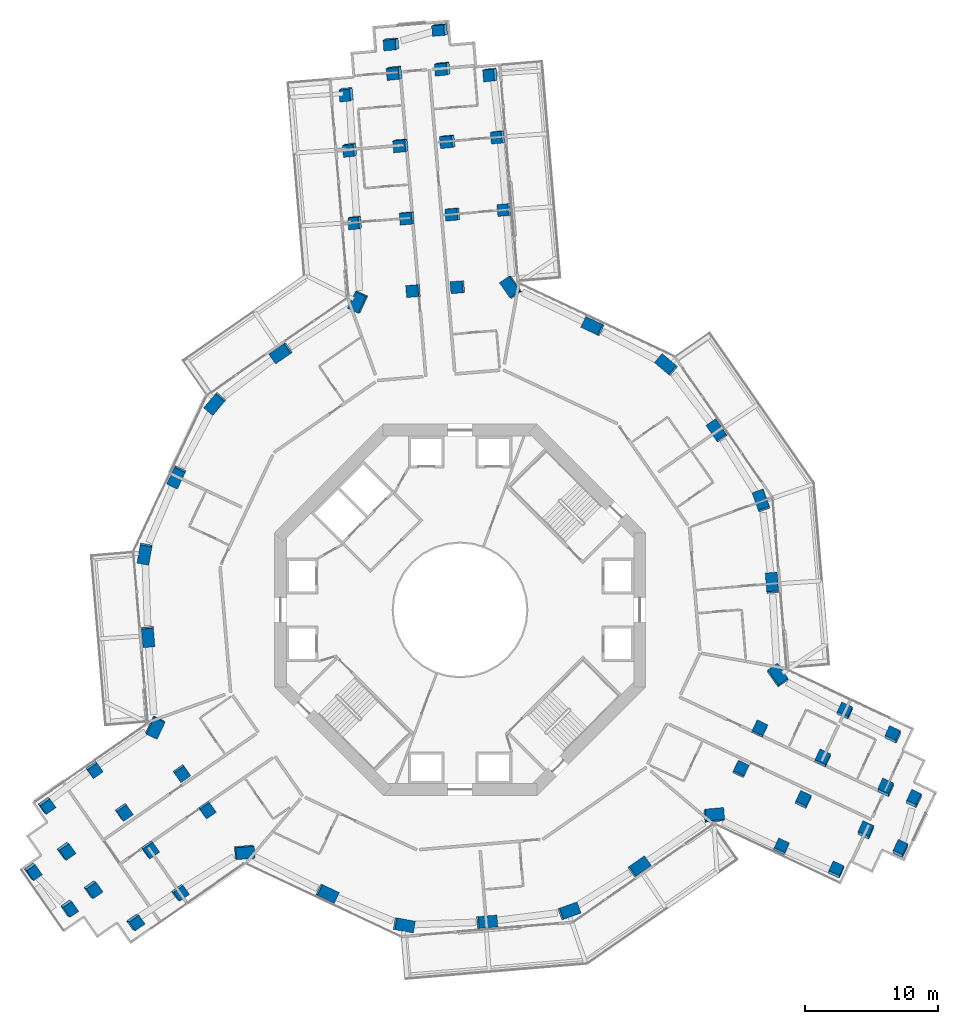
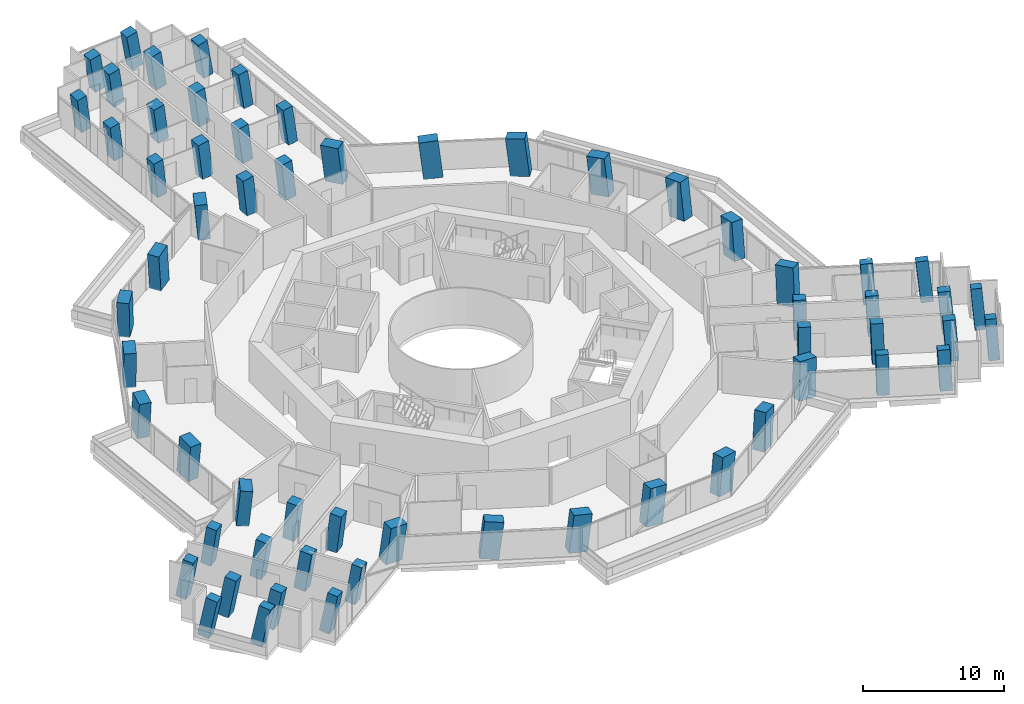
# One storey, part 1 of 26: 61 columns.
"""IFC4 building model written with IfcOpenShell, lengths in metres."""

from ifc_helpers import new_model, si_unit, direction, frame, origin, origin_2d, place, context, subcontext, project, spatial, rectangle, extrude, material, material_profile, profile_set, type_object, element, save


model = new_model("IFC4")

# Units and contexts
model_context = context("Model", 3, precision=1e-05, world=origin(), true_north=direction((0.0, 1.0)))
body_context = subcontext(model_context, "Body", "Model", "MODEL_VIEW")
ifc_project = project(units=[si_unit("LENGTHUNIT", "METRE"), si_unit("AREAUNIT", "SQUARE_METRE"), si_unit("VOLUMEUNIT", "CUBIC_METRE"), si_unit("PLANEANGLEUNIT", "RADIAN"), si_unit("MASSUNIT", "GRAM", prefix="KILO")], contexts=[model_context])

# Site, building, storey
site_placement = place(None, origin())
site = spatial("IfcSite", under=ifc_project, at=site_placement, CompositionType="ELEMENT")
building_placement = place(site_placement, origin())
building = spatial("IfcBuilding", under=site, at=building_placement, Name="Verdalira Terraces Hotel", CompositionType="ELEMENT")
storey_placement = place(building_placement, frame((0.0, 0.0, 53.0)))
storey = spatial("IfcBuildingStorey", under=building, at=storey_placement, Name="L11", CompositionType="ELEMENT", Elevation=53.0)

# Columns
ifc_material_1 = material(Name="Concrete C80", Category="concrete")
ifc_material_profile_1 = material_profile(ifc_material_1, rectangle(XDim=1.399902, YDim=0.899902, at=origin_2d()), Name="RC 1400X900")
ifc_profile_set_1 = profile_set([ifc_material_profile_1], Name="Concrete C80")
column_type_1 = type_object("IfcColumnType", Name="Column RC 1400X900 C80", PredefinedType="COLUMN", material=ifc_profile_set_1)
column_1_placement = place(storey_placement, frame((-7.650391, 23.226318, 0.0), z_axis=(-0.110070907, -0.037323767, 0.9932227), x_axis=(0.417946894, 0.904913597, 0.080322951)))
element("IfcColumn", 1, at=column_1_placement, inside=storey, type_object=column_type_1, Name="Column C07", PredefinedType="COLUMN", context=body_context, shape_type="SweptSolid", body=[
    extrude(rectangle(XDim=1.399902, YDim=0.899902, at=origin_2d()), origin(), (0.0, 0.0, 1.0), 3.21167),
])
column_2_placement = place(storey_placement, frame((-13.473633, 19.385986, 0.0), z_axis=(-0.091640946, -0.064871143, 0.993676845), x_axis=(-0.815879269, -0.567217406, -0.112273915)))
element("IfcColumn", 2, at=column_2_placement, inside=storey, type_object=column_type_1, Name="Column C08", PredefinedType="COLUMN", context=body_context, shape_type="SweptSolid", body=[
    extrude(rectangle(XDim=1.399902, YDim=0.899902, at=origin_2d()), origin(), (0.0, 0.0, 1.0), 3.210205),
])
column_3_placement = place(storey_placement, frame((-18.446533, 15.588623, 0.0), z_axis=(-0.073442823, -0.088344265, 0.993378801), x_axis=(0.641502385, 0.758470218, 0.114880889)))
element("IfcColumn", 3, at=column_3_placement, inside=storey, type_object=column_type_1, Name="Column C09", PredefinedType="COLUMN", context=body_context, shape_type="SweptSolid", body=[
    extrude(rectangle(XDim=1.399902, YDim=0.899902, at=origin_2d()), origin(), (0.0, 0.0, 1.0), 3.211182),
])
column_4_placement = place(storey_placement, frame((-21.361572, 10.052002, 0.0), z_axis=(-0.046923296, -0.10198402, 0.993678753), x_axis=(-0.422986653, -0.899155521, -0.112257027)))
element("IfcColumn", 4, at=column_4_placement, inside=storey, type_object=column_type_1, Name="Column C10", PredefinedType="COLUMN", context=body_context, shape_type="SweptSolid", body=[
    extrude(rectangle(XDim=1.399902, YDim=0.899902, at=origin_2d()), origin(), (0.0, 0.0, 1.0), 3.210205),
])
column_5_placement = place(storey_placement, frame((-23.769531, 4.276855, 0.0), z_axis=(-0.019387151, -0.113205755, 0.993382401), x_axis=(0.17598777, 0.977669596, 0.114849756)))
element("IfcColumn", 5, at=column_5_placement, inside=storey, type_object=column_type_1, Name="Column C11", PredefinedType="COLUMN", context=body_context, shape_type="SweptSolid", body=[
    extrude(rectangle(XDim=1.399902, YDim=0.899902, at=origin_2d()), origin(), (0.0, 0.0, 1.0), 3.211182),
])
column_6_placement = place(storey_placement, frame((-23.525391, -1.975586, 0.0), z_axis=(0.010266843, -0.111794513, 0.993678307), x_axis=(0.082474278, -0.990250205, -0.11226097)))
element("IfcColumn", 6, at=column_6_placement, inside=storey, type_object=column_type_1, Name="Column C12", PredefinedType="COLUMN", context=body_context, shape_type="SweptSolid", body=[
    extrude(rectangle(XDim=1.399902, YDim=0.899902, at=origin_2d()), origin(), (0.0, 0.0, 1.0), 3.210205),
])
column_7_placement = place(storey_placement, frame((-23.002441, -8.802002, 0.0), z_axis=(0.042792513, -0.108995494, 0.993120729), x_axis=(0.430367441, 0.899089989, 0.0801315)))
element("IfcColumn", 7, at=column_7_placement, inside=storey, type_object=column_type_1, Name="Column C13", PredefinedType="COLUMN", context=body_context, shape_type="SweptSolid", body=[
    extrude(rectangle(XDim=1.399902, YDim=0.899902, at=origin_2d()), origin(), (0.0, 0.0, 1.0), 3.212158),
])
column_8_placement = place(storey_placement, frame((-16.289307, -18.238525, 0.0), z_axis=(0.087342051, -0.076699852, 0.993221274), x_axis=(-0.992681372, -0.090169645, 0.080331373)))
element("IfcColumn", 8, at=column_8_placement, inside=storey, type_object=column_type_1, Name="Column C20", PredefinedType="COLUMN", context=body_context, shape_type="SweptSolid", body=[
    extrude(rectangle(XDim=1.399902, YDim=0.899902, at=origin_2d()), origin(), (0.0, 0.0, 1.0), 3.21167),
])
column_9_placement = place(storey_placement, frame((-10.052002, -21.361572, 0.0), z_axis=(0.10198402, -0.046923296, 0.993678753), x_axis=(0.899155521, -0.422986653, -0.112257027)))
element("IfcColumn", 9, at=column_9_placement, inside=storey, type_object=column_type_1, Name="Column C21", PredefinedType="COLUMN", context=body_context, shape_type="SweptSolid", body=[
    extrude(rectangle(XDim=1.399902, YDim=0.899902, at=origin_2d()), origin(), (0.0, 0.0, 1.0), 3.210205),
])
column_10_placement = place(storey_placement, frame((-4.276855, -23.769531, 0.0), z_axis=(0.113205755, -0.019387151, 0.993382401), x_axis=(-0.977669596, 0.17598777, 0.114849756)))
element("IfcColumn", 10, at=column_10_placement, inside=storey, type_object=column_type_1, Name="Column C22", PredefinedType="COLUMN", context=body_context, shape_type="SweptSolid", body=[
    extrude(rectangle(XDim=1.399902, YDim=0.899902, at=origin_2d()), origin(), (0.0, 0.0, 1.0), 3.211182),
])
column_11_placement = place(storey_placement, frame((1.975586, -23.525391, 0.0), z_axis=(0.111794513, 0.010266843, 0.993678307), x_axis=(0.990250205, 0.082474278, -0.11226097)))
element("IfcColumn", 11, at=column_11_placement, inside=storey, type_object=column_type_1, Name="Column C23", PredefinedType="COLUMN", context=body_context, shape_type="SweptSolid", body=[
    extrude(rectangle(XDim=1.399902, YDim=0.899902, at=origin_2d()), origin(), (0.0, 0.0, 1.0), 3.210205),
])
column_12_placement = place(storey_placement, frame((8.180908, -22.723389, 0.0), z_axis=(0.107731963, 0.03976275, 0.993384491), x_axis=(-0.934820186, -0.336043012, 0.114831678)))
element("IfcColumn", 12, at=column_12_placement, inside=storey, type_object=column_type_1, Name="Column C24", PredefinedType="COLUMN", context=body_context, shape_type="SweptSolid", body=[
    extrude(rectangle(XDim=1.399902, YDim=0.899902, at=origin_2d()), origin(), (0.0, 0.0, 1.0), 3.211182),
])
column_13_placement = place(storey_placement, frame((13.473633, -19.385986, 0.0), z_axis=(0.091640946, 0.064871143, 0.993676845), x_axis=(0.815879269, 0.567217406, -0.112273915)))
element("IfcColumn", 13, at=column_13_placement, inside=storey, type_object=column_type_1, Name="Column C25", PredefinedType="COLUMN", context=body_context, shape_type="SweptSolid", body=[
    extrude(rectangle(XDim=1.399902, YDim=0.899902, at=origin_2d()), origin(), (0.0, 0.0, 1.0), 3.210205),
])
column_14_placement = place(storey_placement, frame((19.124023, -15.519775, 0.0), z_axis=(0.073043234, 0.091589071, 0.993114358), x_axis=(-0.993826622, -0.076691997, 0.080168471)))
element("IfcColumn", 14, at=column_14_placement, inside=storey, type_object=column_type_1, Name="Column C26", PredefinedType="COLUMN", context=body_context, shape_type="SweptSolid", body=[
    extrude(rectangle(XDim=1.399902, YDim=0.899902, at=origin_2d()), origin(), (0.0, 0.0, 1.0), 3.212158),
])
column_15_placement = place(storey_placement, frame((23.939697, -4.987793, 0.0), z_axis=(0.022728624, 0.114023197, 0.993218063), x_axis=(0.574642782, -0.814450427, 0.080350333)))
element("IfcColumn", 15, at=column_15_placement, inside=storey, type_object=column_type_1, Name="Column C33", PredefinedType="COLUMN", context=body_context, shape_type="SweptSolid", body=[
    extrude(rectangle(XDim=1.399902, YDim=0.899902, at=origin_2d()), origin(), (0.0, 0.0, 1.0), 3.21167),
])
column_16_placement = place(storey_placement, frame((23.525391, 1.975586, 0.0), z_axis=(-0.010266843, 0.111794513, 0.993678307), x_axis=(-0.082474278, 0.990250205, -0.11226097)))
element("IfcColumn", 16, at=column_16_placement, inside=storey, type_object=column_type_1, Name="Column C34", PredefinedType="COLUMN", context=body_context, shape_type="SweptSolid", body=[
    extrude(rectangle(XDim=1.399902, YDim=0.899902, at=origin_2d()), origin(), (0.0, 0.0, 1.0), 3.210205),
])
column_17_placement = place(storey_placement, frame((22.723389, 8.180908, 0.0), z_axis=(-0.03976275, 0.107731963, 0.993384491), x_axis=(0.336043012, -0.934820186, 0.114831678)))
element("IfcColumn", 17, at=column_17_placement, inside=storey, type_object=column_type_1, Name="Column C35", PredefinedType="COLUMN", context=body_context, shape_type="SweptSolid", body=[
    extrude(rectangle(XDim=1.399902, YDim=0.899902, at=origin_2d()), origin(), (0.0, 0.0, 1.0), 3.211182),
])
column_18_placement = place(storey_placement, frame((19.385986, 13.473633, 0.0), z_axis=(-0.064871143, 0.091640946, 0.993676845), x_axis=(-0.567217406, 0.815879269, -0.112273915)))
element("IfcColumn", 18, at=column_18_placement, inside=storey, type_object=column_type_1, Name="Column C36", PredefinedType="COLUMN", context=body_context, shape_type="SweptSolid", body=[
    extrude(rectangle(XDim=1.399902, YDim=0.899902, at=origin_2d()), origin(), (0.0, 0.0, 1.0), 3.210205),
])
column_19_placement = place(storey_placement, frame((15.588623, 18.446533, 0.0), z_axis=(-0.088344265, 0.073442823, 0.993378801), x_axis=(0.758470218, -0.641502385, 0.114880889)))
element("IfcColumn", 19, at=column_19_placement, inside=storey, type_object=column_type_1, Name="Column C37", PredefinedType="COLUMN", context=body_context, shape_type="SweptSolid", body=[
    extrude(rectangle(XDim=1.399902, YDim=0.899902, at=origin_2d()), origin(), (0.0, 0.0, 1.0), 3.211182),
])
column_20_placement = place(storey_placement, frame((10.052002, 21.361572, 0.0), z_axis=(-0.10198402, 0.046923296, 0.993678753), x_axis=(-0.899155521, 0.422986653, -0.112257027)))
element("IfcColumn", 20, at=column_20_placement, inside=storey, type_object=column_type_1, Name="Column C38", PredefinedType="COLUMN", context=body_context, shape_type="SweptSolid", body=[
    extrude(rectangle(XDim=1.399902, YDim=0.899902, at=origin_2d()), origin(), (0.0, 0.0, 1.0), 3.210205),
])
column_21_placement = place(storey_placement, frame((3.878418, 24.321777, 0.0), z_axis=(-0.115760507, 0.017481889, 0.9931233), x_axis=(0.563120389, -0.822482073, 0.08011658)))
element("IfcColumn", 21, at=column_21_placement, inside=storey, type_object=column_type_1, Name="Column C39", PredefinedType="COLUMN", context=body_context, shape_type="SweptSolid", body=[
    extrude(rectangle(XDim=1.399902, YDim=0.899902, at=origin_2d()), origin(), (0.0, 0.0, 1.0), 3.211914),
])
ifc_material_2 = material(Name="Concrete C80", Category="concrete")
ifc_material_profile_2 = material_profile(ifc_material_2, rectangle(XDim=0.899902, YDim=0.800049, at=origin_2d()), Name="RC 900X800")
ifc_profile_set_2 = profile_set([ifc_material_profile_2], Name="Concrete C80")
column_type_2 = type_object("IfcColumnType", Name="Column RC 900X800 C80", PredefinedType="COLUMN", material=ifc_profile_set_2)
column_22_placement = place(storey_placement, frame((3.388184, 30.158447, 0.0), z_axis=(-0.140555407, -0.009698702, 0.990025309), x_axis=(-0.083368009, 0.996516671, -0.00207359)))
element("IfcColumn", 22, at=column_22_placement, inside=storey, type_object=column_type_2, Name="Column C01", PredefinedType="COLUMN", context=body_context, shape_type="SweptSolid", body=[
    extrude(rectangle(XDim=0.899902, YDim=0.800049, at=origin_2d()), origin(), (0.0, 0.0, 1.0), 3.222168),
])
column_23_placement = place(storey_placement, frame((2.927002, 35.650146, 0.0), z_axis=(-0.163432759, -0.036519601, 0.985878315), x_axis=(-0.087423938, 0.995919345, 0.022398952)))
element("IfcColumn", 23, at=column_23_placement, inside=storey, type_object=column_type_2, Name="Column C02", PredefinedType="COLUMN", context=body_context, shape_type="SweptSolid", body=[
    extrude(rectangle(XDim=0.899902, YDim=0.800049, at=origin_2d()), origin(), (0.0, 0.0, 1.0), 3.235596),
])
column_24_placement = place(storey_placement, frame((2.370117, 40.37085, 0.0), z_axis=(-0.18232999, -0.063455042, 0.981187664), x_axis=(-0.092400594, 0.99460484, 0.047152338)))
element("IfcColumn", 24, at=column_24_placement, inside=storey, type_object=column_type_2, Name="Column C03", PredefinedType="COLUMN", context=body_context, shape_type="SweptSolid", body=[
    extrude(rectangle(XDim=0.899902, YDim=0.800049, at=origin_2d()), origin(), (0.0, 0.0, 1.0), 3.251221),
])
column_25_placement = place(storey_placement, frame((-8.486328, 38.91748, 0.0), z_axis=(-0.174482454, -0.114076045, 0.978029922), x_axis=(0.101663006, -0.99004517, -0.097340607)))
element("IfcColumn", 25, at=column_25_placement, inside=storey, type_object=column_type_2, Name="Column C04", PredefinedType="COLUMN", context=body_context, shape_type="SweptSolid", body=[
    extrude(rectangle(XDim=0.899902, YDim=0.800049, at=origin_2d()), origin(), (0.0, 0.0, 1.0), 3.261719),
])
column_26_placement = place(storey_placement, frame((-8.233643, 34.712891, 0.0), z_axis=(-0.158130165, -0.08896233, 0.98340254), x_axis=(0.096133876, -0.992588821, -0.074335123)))
element("IfcColumn", 26, at=column_26_placement, inside=storey, type_object=column_type_2, Name="Column C05", PredefinedType="COLUMN", context=body_context, shape_type="SweptSolid", body=[
    extrude(rectangle(XDim=0.899902, YDim=0.800049, at=origin_2d()), origin(), (0.0, 0.0, 1.0), 3.243896),
])
column_27_placement = place(storey_placement, frame((-7.862061, 29.213867, 0.0), z_axis=(-0.13553465, -0.062886261, 0.988774836), x_axis=(0.090521396, -0.994595555, -0.050848392)))
element("IfcColumn", 27, at=column_27_placement, inside=storey, type_object=column_type_2, Name="Column C06", PredefinedType="COLUMN", context=body_context, shape_type="SweptSolid", body=[
    extrude(rectangle(XDim=0.899902, YDim=0.800049, at=origin_2d()), origin(), (0.0, 0.0, 1.0), 3.226074),
])
column_28_placement = place(storey_placement, frame((-27.611328, -12.005371, 0.0), z_axis=(0.088058148, -0.108746508, 0.990161583), x_axis=(-0.820261762, -0.571898463, 0.010138518)))
element("IfcColumn", 28, at=column_28_placement, inside=storey, type_object=column_type_2, Name="Column C14", PredefinedType="COLUMN", context=body_context, shape_type="SweptSolid", body=[
    extrude(rectangle(XDim=0.899902, YDim=0.800049, at=origin_2d()), origin(), (0.0, 0.0, 1.0), 3.22168),
])
column_29_placement = place(storey_placement, frame((-31.220459, -14.708496, 0.0), z_axis=(0.130551675, -0.103686706, 0.98600473), x_axis=(-0.815785773, -0.576408575, 0.047399664)))
element("IfcColumn", 29, at=column_29_placement, inside=storey, type_object=column_type_2, Name="Column C15", PredefinedType="COLUMN", context=body_context, shape_type="SweptSolid", body=[
    extrude(rectangle(XDim=0.899902, YDim=0.800049, at=origin_2d()), origin(), (0.0, 0.0, 1.0), 3.235107),
])
column_30_placement = place(storey_placement, frame((-32.275146, -19.69165, 0.0), z_axis=(0.153505595, -0.10802524, 0.98222532), x_axis=(0.55238998, -0.814806568, -0.175941939)))
element("IfcColumn", 30, at=column_30_placement, inside=storey, type_object=column_type_2, Name="Column C16", PredefinedType="COLUMN", context=body_context, shape_type="SweptSolid", body=[
    extrude(rectangle(XDim=0.899902, YDim=0.800049, at=origin_2d()), origin(), (0.0, 0.0, 1.0), 3.247559),
])
column_31_placement = place(storey_placement, frame((-29.541504, -22.468262, 0.0), z_axis=(0.166236949, -0.095024736, 0.9814966), x_axis=(0.550019389, -0.817190409, -0.172274512)))
element("IfcColumn", 31, at=column_31_placement, inside=storey, type_object=column_type_2, Name="Column C17", PredefinedType="COLUMN", context=body_context, shape_type="SweptSolid", body=[
    extrude(rectangle(XDim=0.899902, YDim=0.800049, at=origin_2d()), origin(), (0.0, 0.0, 1.0), 3.25),
])
column_32_placement = place(storey_placement, frame((-24.55835, -23.522949, 0.0), z_axis=(0.17124014, -0.071669676, 0.982619088), x_axis=(0.80823652, 0.580560314, -0.09850609)))
element("IfcColumn", 32, at=column_32_placement, inside=storey, type_object=column_type_2, Name="Column C18", PredefinedType="COLUMN", context=body_context, shape_type="SweptSolid", body=[
    extrude(rectangle(XDim=0.899902, YDim=0.800049, at=origin_2d()), origin(), (0.0, 0.0, 1.0), 3.246338),
])
column_33_placement = place(storey_placement, frame((-21.162354, -21.28418, 0.0), z_axis=(0.131531525, -0.077678479, 0.988263888), x_axis=(0.814452284, 0.57679345, -0.063061813)))
element("IfcColumn", 33, at=column_33_placement, inside=storey, type_object=column_type_2, Name="Column C19", PredefinedType="COLUMN", context=body_context, shape_type="SweptSolid", body=[
    extrude(rectangle(XDim=0.899902, YDim=0.800049, at=origin_2d()), origin(), (0.0, 0.0, 1.0), 3.227783),
])
column_34_placement = place(storey_placement, frame((24.202637, -17.909424, 0.0), z_axis=(0.050167242, 0.130647016, 0.990158879), x_axis=(0.905369846, -0.424502797, 0.010139904)))
element("IfcColumn", 34, at=column_34_placement, inside=storey, type_object=column_type_2, Name="Column C27", PredefinedType="COLUMN", context=body_context, shape_type="SweptSolid", body=[
    extrude(rectangle(XDim=0.899902, YDim=0.800049, at=origin_2d()), origin(), (0.0, 0.0, 1.0), 3.22168),
])
column_35_placement = place(storey_placement, frame((28.348145, -19.68335, 0.0), z_axis=(0.024525668, 0.164887955, 0.98600733), x_axis=(0.90705582, -0.418334108, 0.047395292)))
element("IfcColumn", 35, at=column_35_placement, inside=storey, type_object=column_type_2, Name="Column C28", PredefinedType="COLUMN", context=body_context, shape_type="SweptSolid", body=[
    extrude(rectangle(XDim=0.899902, YDim=0.800049, at=origin_2d()), origin(), (0.0, 0.0, 1.0), 3.235107),
])
column_36_placement = place(storey_placement, frame((33.191162, -18.105225, 0.0), z_axis=(0.016763826, 0.186958, 0.982224862), x_axis=(0.429276668, 0.885869734, -0.175944185)))
element("IfcColumn", 36, at=column_36_placement, inside=storey, type_object=column_type_2, Name="Column C29", PredefinedType="COLUMN", context=body_context, shape_type="SweptSolid", body=[
    extrude(rectangle(XDim=0.899902, YDim=0.800049, at=origin_2d()), origin(), (0.0, 0.0, 1.0), 3.247559),
])
column_37_placement = place(storey_placement, frame((34.229004, -14.349609, 0.0), z_axis=(-0.000901408, 0.19154911, 0.981482616), x_axis=(0.432344752, 0.885086034, -0.17233899)))
element("IfcColumn", 37, at=column_37_placement, inside=storey, type_object=column_type_2, Name="Column C30", PredefinedType="COLUMN", context=body_context, shape_type="SweptSolid", body=[
    extrude(rectangle(XDim=0.899902, YDim=0.800049, at=origin_2d()), origin(), (0.0, 0.0, 1.0), 3.250244),
])
column_38_placement = place(storey_placement, frame((32.650635, -9.506836, 0.0), z_axis=(-0.023538764, 0.184173904, 0.982611775), x_axis=(-0.906856688, 0.409760235, -0.098526631)))
element("IfcColumn", 38, at=column_38_placement, inside=storey, type_object=column_type_2, Name="Column C31", PredefinedType="COLUMN", context=body_context, shape_type="SweptSolid", body=[
    extrude(rectangle(XDim=0.899902, YDim=0.800049, at=origin_2d()), origin(), (0.0, 0.0, 1.0), 3.246338),
])
column_39_placement = place(storey_placement, frame((29.013916, -7.684814, 0.0), z_axis=(0.001512735, 0.152710601, 0.988269793), x_axis=(-0.906723865, 0.416985648, -0.063046039)))
element("IfcColumn", 39, at=column_39_placement, inside=storey, type_object=column_type_2, Name="Column C32", PredefinedType="COLUMN", context=body_context, shape_type="SweptSolid", body=[
    extrude(rectangle(XDim=0.899902, YDim=0.800049, at=origin_2d()), origin(), (0.0, 0.0, 1.0), 3.227783),
])
column_40_placement = place(storey_placement, frame((-1.417969, 43.775879, 0.0), z_axis=(-0.197397309, -0.081052532, 0.976967138), x_axis=(-0.976774813, -0.068458314, -0.203037986)))
element("IfcColumn", 40, at=column_40_placement, inside=storey, type_object=column_type_2, Name="Column C40", PredefinedType="COLUMN", context=body_context, shape_type="SweptSolid", body=[
    extrude(rectangle(XDim=0.899902, YDim=0.800049, at=origin_2d()), origin(), (0.0, 0.0, 1.0), 3.265137),
])
column_41_placement = place(storey_placement, frame((-5.081299, 42.705566, 0.0), z_axis=(-0.192136387, -0.098123328, 0.976450419), x_axis=(-0.977820797, -0.06538276, -0.198976338)))
element("IfcColumn", 41, at=column_41_placement, inside=storey, type_object=column_type_2, Name="Column C41", PredefinedType="COLUMN", context=body_context, shape_type="SweptSolid", body=[
    extrude(rectangle(XDim=0.899902, YDim=0.800049, at=origin_2d()), origin(), (0.0, 0.0, 1.0), 3.266846),
])
ifc_material_3 = material(Name="Concrete C80", Category="concrete")
ifc_material_profile_3 = material_profile(ifc_material_3, rectangle(XDim=0.899902, YDim=0.899902, at=origin_2d()), Name="RC 900X900")
ifc_profile_set_3 = profile_set([ifc_material_profile_3], Name="Concrete C80")
column_type_3 = type_object("IfcColumnType", Name="Column RC 900X900 C80", PredefinedType="COLUMN", material=ifc_profile_set_3)
for number, where, z_axis, x_axis, name in (
    (42, (-0.130127, 24.332764, 0.0), (-0.115703051, -0.001596428, 0.993282566), (-0.082814244, 0.996532528, -0.00804501), "Column C42"),
    (43, (-3.474854, 24.052002, 0.0), (-0.11418529, -0.017485098, 0.993305588), (-0.084671563, 0.99637834, 0.007805781), "Column C43"),
):
    element("IfcColumn", number, at=place(storey_placement, frame(where, z_axis=z_axis, x_axis=x_axis)), inside=storey, type_object=column_type_3, Name=name, PredefinedType="COLUMN", context=body_context, shape_type="SweptSolid", body=[
        extrude(rectangle(XDim=0.899902, YDim=0.899902, at=origin_2d()), origin(), (0.0, 0.0, 1.0), 3.211426),
    ])
column_42_placement = place(storey_placement, frame((-0.496094, 29.832275, 0.0), z_axis=(-0.138872449, -0.028107844, 0.989911305), x_axis=(-0.086044465, 0.996159348, 0.016214267)))
element("IfcColumn", 44, at=column_42_placement, inside=storey, type_object=column_type_3, Name="Column C44", PredefinedType="COLUMN", context=body_context, shape_type="SweptSolid", body=[
    extrude(rectangle(XDim=0.899902, YDim=0.899902, at=origin_2d()), origin(), (0.0, 0.0, 1.0), 3.222412),
])
column_43_placement = place(storey_placement, frame((-3.935791, 29.543457, 0.0), z_axis=(-0.137379171, -0.044379379, 0.989523842), x_axis=(-0.088152159, 0.995579543, 0.03241249)))
element("IfcColumn", 45, at=column_43_placement, inside=storey, type_object=column_type_3, Name="Column C45", PredefinedType="COLUMN", context=body_context, shape_type="SweptSolid", body=[
    extrude(rectangle(XDim=0.899902, YDim=0.899902, at=origin_2d()), origin(), (0.0, 0.0, 1.0), 3.223633),
])
column_44_placement = place(storey_placement, frame((-0.861816, 35.331787, 0.0), z_axis=(-0.161759103, -0.054296762, 0.985335402), x_axis=(-0.089864726, 0.995147, 0.040084647)))
element("IfcColumn", 46, at=column_44_placement, inside=storey, type_object=column_type_3, Name="Column C46", PredefinedType="COLUMN", context=body_context, shape_type="SweptSolid", body=[
    extrude(rectangle(XDim=0.899902, YDim=0.899902, at=origin_2d()), origin(), (0.0, 0.0, 1.0), 3.237305),
])
column_45_placement = place(storey_placement, frame((-4.397217, 35.034912, 0.0), z_axis=(-0.159975814, -0.070907791, 0.984570883), x_axis=(-0.092819779, 0.99407797, 0.056510866)))
element("IfcColumn", 47, at=column_45_placement, inside=storey, type_object=column_type_3, Name="Column C47", PredefinedType="COLUMN", context=body_context, shape_type="SweptSolid", body=[
    extrude(rectangle(XDim=0.899902, YDim=0.899902, at=origin_2d()), origin(), (0.0, 0.0, 1.0), 3.23999),
])
column_46_placement = place(storey_placement, frame((-1.227783, 40.831543, 0.0), z_axis=(-0.184064625, -0.080298661, 0.979628674), x_axis=(-0.095879355, 0.993371182, 0.063410127)))
element("IfcColumn", 48, at=column_46_placement, inside=storey, type_object=column_type_3, Name="Column C48", PredefinedType="COLUMN", context=body_context, shape_type="SweptSolid", body=[
    extrude(rectangle(XDim=0.899902, YDim=0.899902, at=origin_2d()), origin(), (0.0, 0.0, 1.0), 3.256348),
])
column_47_placement = place(storey_placement, frame((-4.858154, 40.526611, 0.0), z_axis=(-0.182267383, -0.097199287, 0.97843288), x_axis=(-0.099019602, 0.991857442, 0.080087039)))
element("IfcColumn", 49, at=column_47_placement, inside=storey, type_object=column_type_3, Name="Column C49", PredefinedType="COLUMN", context=body_context, shape_type="SweptSolid", body=[
    extrude(rectangle(XDim=0.899902, YDim=0.899902, at=origin_2d()), origin(), (0.0, 0.0, 1.0), 3.260254),
])
for number, where, z_axis, x_axis, name in (
    (50, (-21.007812, -12.279053, 0.0), (0.059295512, -0.099434013, 0.993275853), (-0.82143244, -0.570249033, -0.008049015), "Column C50"),
    (51, (-19.092285, -15.035156, 0.0), (0.07229664, -0.090161741, 0.99329958), (-0.820368054, -0.571782538, 0.007809271), "Column C51"),
):
    element("IfcColumn", number, at=place(storey_placement, frame(where, z_axis=z_axis, x_axis=x_axis)), inside=storey, type_object=column_type_3, Name=name, PredefinedType="COLUMN", context=body_context, shape_type="SweptSolid", body=[
        extrude(rectangle(XDim=0.899902, YDim=0.899902, at=origin_2d()), origin(), (0.0, 0.0, 1.0), 3.211426),
    ])
column_48_placement = place(storey_placement, frame((-25.385254, -15.208252, 0.0), z_axis=(0.103103956, -0.098028302, 0.989828281), x_axis=(-0.818510037, -0.57378817, 0.028433359)))
element("IfcColumn", 52, at=column_48_placement, inside=storey, type_object=column_type_3, Name="Column C52", PredefinedType="COLUMN", context=body_context, shape_type="SweptSolid", body=[
    extrude(rectangle(XDim=0.899902, YDim=0.899902, at=origin_2d()), origin(), (0.0, 0.0, 1.0), 3.222656),
])
column_49_placement = place(storey_placement, frame((-23.416504, -18.040771, 0.0), z_axis=(0.116368747, -0.088582586, 0.989247916), x_axis=(-0.816885643, -0.575072918, 0.044598035)))
element("IfcColumn", 53, at=column_49_placement, inside=storey, type_object=column_type_3, Name="Column C53", PredefinedType="COLUMN", context=body_context, shape_type="SweptSolid", body=[
    extrude(rectangle(XDim=0.899902, YDim=0.899902, at=origin_2d()), origin(), (0.0, 0.0, 1.0), 3.224609),
])
column_50_placement = place(storey_placement, frame((-29.762939, -18.137207, 0.0), z_axis=(0.146402347, -0.096521568, 0.984504921), x_axis=(-0.813400394, -0.578142136, 0.064276511)))
element("IfcColumn", 54, at=column_50_placement, inside=storey, type_object=column_type_3, Name="Column C54", PredefinedType="COLUMN", context=body_context, shape_type="SweptSolid", body=[
    extrude(rectangle(XDim=0.899902, YDim=0.899902, at=origin_2d()), origin(), (0.0, 0.0, 1.0), 3.240234),
])
column_51_placement = place(storey_placement, frame((-27.741211, -21.046387, 0.0), z_axis=(0.159921239, -0.086771383, 0.983308662), x_axis=(-0.810718937, -0.579849088, 0.080683587)))
element("IfcColumn", 55, at=column_51_placement, inside=storey, type_object=column_type_3, Name="Column C55", PredefinedType="COLUMN", context=body_context, shape_type="SweptSolid", body=[
    extrude(rectangle(XDim=0.899902, YDim=0.899902, at=origin_2d()), origin(), (0.0, 0.0, 1.0), 3.244141),
])
for number, where, z_axis, x_axis, name in (
    (56, (21.137939, -12.053711, 0.0), (0.056407591, 0.100955903, 0.993290536), (0.904548108, -0.42629576, -0.008040252), "Column C56"),
    (57, (22.566895, -9.016602, 0.0), (0.042040018, 0.107646773, 0.993299959), (0.904939198, -0.425469231, 0.007809051), "Column C57"),
):
    element("IfcColumn", number, at=place(storey_placement, frame(where, z_axis=z_axis, x_axis=x_axis)), inside=storey, type_object=column_type_3, Name=name, PredefinedType="COLUMN", context=body_context, shape_type="SweptSolid", body=[
        extrude(rectangle(XDim=0.899902, YDim=0.899902, at=origin_2d()), origin(), (0.0, 0.0, 1.0), 3.211426),
    ])
column_52_placement = place(storey_placement, frame((25.863281, -14.380127, 0.0), z_axis=(0.033332895, 0.138255758, 0.989835473), x_axis=(0.906164922, -0.4219683, 0.028423357)))
element("IfcColumn", 58, at=column_52_placement, inside=storey, type_object=column_type_3, Name="Column C58", PredefinedType="COLUMN", context=body_context, shape_type="SweptSolid", body=[
    extrude(rectangle(XDim=0.899902, YDim=0.899902, at=origin_2d()), origin(), (0.0, 0.0, 1.0), 3.222656),
])
column_53_placement = place(storey_placement, frame((27.332031, -11.259033, 0.0), z_axis=(0.018473669, 0.145063729, 0.989249836), x_axis=(0.906629884, -0.419563609, 0.044594075)))
element("IfcColumn", 59, at=column_53_placement, inside=storey, type_object=column_type_3, Name="Column C59", PredefinedType="COLUMN", context=body_context, shape_type="SweptSolid", body=[
    extrude(rectangle(XDim=0.899902, YDim=0.899902, at=origin_2d()), origin(), (0.0, 0.0, 1.0), 3.224609),
])
column_54_placement = place(storey_placement, frame((30.588867, -16.706787, 0.0), z_axis=(0.010322792, 0.175035371, 0.984508029), x_axis=(0.907540399, -0.415017803, 0.064270115)))
element("IfcColumn", 60, at=column_54_placement, inside=storey, type_object=column_type_3, Name="Column C60", PredefinedType="COLUMN", context=body_context, shape_type="SweptSolid", body=[
    extrude(rectangle(XDim=0.899902, YDim=0.899902, at=origin_2d()), origin(), (0.0, 0.0, 1.0), 3.240234),
])
column_55_placement = place(storey_placement, frame((32.097168, -13.501221, 0.0), z_axis=(-0.004741248, 0.181823106, 0.983319825), x_axis=(0.907361362, -0.412540706, 0.080656828)))
element("IfcColumn", 61, at=column_55_placement, inside=storey, type_object=column_type_3, Name="Column C61", PredefinedType="COLUMN", context=body_context, shape_type="SweptSolid", body=[
    extrude(rectangle(XDim=0.899902, YDim=0.899902, at=origin_2d()), origin(), (0.0, 0.0, 1.0), 3.244141),
])

save(model, "model.ifc")
